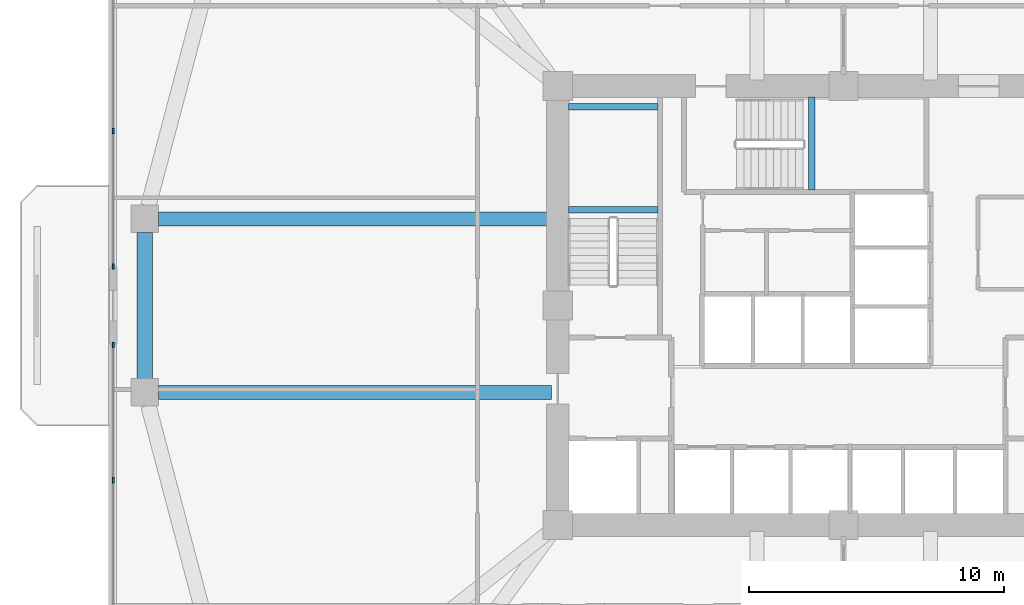
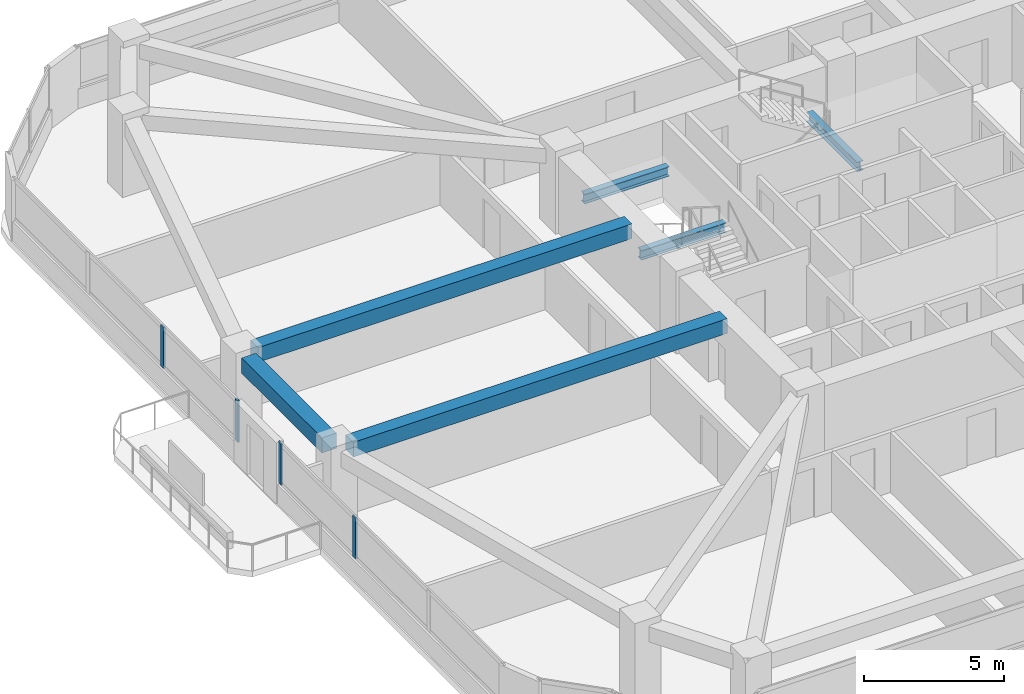
# One storey, part 4 of 15: 6 beams, 4 members, 2 elements without a shape of their own.
"""IFC4 building model written with IfcOpenShell, lengths in metres."""

from ifc_helpers import new_model, si_unit, derived_unit, direction, frame, origin, origin_2d, place, context, subcontext, project, spatial, rectangle, i_section, extrude, material, material_profile, profile_set, type_object, element, aggregate, save


model = new_model("IFC4")

# Units and contexts
model_context = context("Model", 3, precision=1e-05, world=origin(), true_north=direction((0.0, 1.0)))
body_context = subcontext(model_context, "Body", "Model", "MODEL_VIEW")
ifc_project = project(units=[si_unit("LENGTHUNIT", "METRE"), si_unit("AREAUNIT", "SQUARE_METRE"), si_unit("VOLUMEUNIT", "CUBIC_METRE"), si_unit("PLANEANGLEUNIT", "RADIAN"), si_unit("MASSUNIT", "GRAM", prefix="KILO"), derived_unit("THERMALTRANSMITTANCEUNIT", [(si_unit("POWERUNIT", "WATT"), 1), (si_unit("LENGTHUNIT", "METRE"), -2), (si_unit("THERMODYNAMICTEMPERATUREUNIT", "KELVIN"), -1)])], contexts=[model_context])

# Site, building, storey
site_placement = place(None, origin())
site = spatial("IfcSite", under=ifc_project, at=site_placement, CompositionType="ELEMENT")
building_placement = place(site_placement, origin())
building = spatial("IfcBuilding", under=site, at=building_placement, Name="Koralith Skygarden Medical Center", CompositionType="ELEMENT")
storey_placement = place(building_placement, frame((0.0, 0.0, 27.5400390625)))
storey = spatial("IfcBuildingStorey", under=building, at=storey_placement, Name="L06", CompositionType="ELEMENT", Elevation=27.5400390625)

# Curtain wall, members
ifc_material_1 = material(Name="Clear Laminated Glass", Category="glass")
curtain_wall_type = type_object("IfcCurtainWallType", Name="CW-2 Zone 1 Hurricane Unitised Curtain Wall", PredefinedType="NOTDEFINED", material=ifc_material_1)
curtain_wall_1_placement = place(storey_placement, origin())
curtain_wall_1 = element("IfcCurtainWall", 1, at=curtain_wall_1_placement, inside=storey, type_object=curtain_wall_type, Name="Curtain Wall CW-L06-W-L", PredefinedType="NOTDEFINED")
ifc_material_2 = material(Name="Aluminium 6063-T6", Category="aluminium")
ifc_material_profile_1 = material_profile(ifc_material_2, rectangle(XDim=0.071044921875, YDim=0.219970703125, at=origin_2d()), Name="MUL71X220")
ifc_profile_set_1 = profile_set([ifc_material_profile_1], Name="Aluminium 6063-T6")
member_type = type_object("IfcMemberType", Name="CW-2 Extruded Mullion 71x220", PredefinedType="MULLION", material=ifc_profile_set_1)
member_1_placement = place(storey_placement, frame((8.3798828125, 32.741943359375, 0.849853515625), z_axis=(0.0, 0.0, 1.0), x_axis=(1.0, 0.0, 0.0)))
member_1 = element("IfcMember", 2, at=member_1_placement, type_object=member_type, Name="CW-L06-W-L Mullion 3", PredefinedType="MULLION", context=body_context, shape_type="SweptSolid", body=[
    extrude(rectangle(XDim=0.071044921875, YDim=0.219970703125, at=origin_2d()), origin(), (0.0, 0.0, 1.0), 1.800048828125),
])
member_2_placement = place(storey_placement, frame((8.3798828125, 27.43994140625, 0.849853515625), z_axis=(0.0, 0.0, 1.0), x_axis=(1.0, 0.0, 0.0)))
member_2 = element("IfcMember", 3, at=member_2_placement, type_object=member_type, Name="CW-L06-W-L Mullion 4", PredefinedType="MULLION", context=body_context, shape_type="SweptSolid", body=[
    extrude(rectangle(XDim=0.071044921875, YDim=0.219970703125, at=origin_2d()), origin(), (0.0, 0.0, 1.0), 1.800048828125),
])
aggregate(curtain_wall_1, [member_1, member_2])

curtain_wall_2_placement = place(storey_placement, origin())
curtain_wall_2 = element("IfcCurtainWall", 4, at=curtain_wall_2_placement, inside=storey, type_object=curtain_wall_type, Name="Curtain Wall CW-L06-W-R", PredefinedType="NOTDEFINED")
member_3_placement = place(storey_placement, frame((8.3798828125, 24.360107421875, 0.849853515625), z_axis=(0.0, 0.0, 1.0), x_axis=(1.0, 0.0, 0.0)))
member_3 = element("IfcMember", 5, at=member_3_placement, type_object=member_type, Name="CW-L06-W-R Mullion 1", PredefinedType="MULLION", context=body_context, shape_type="SweptSolid", body=[
    extrude(rectangle(XDim=0.071044921875, YDim=0.219970703125, at=origin_2d()), origin(), (0.0, 0.0, 1.0), 1.800048828125),
])
member_4_placement = place(storey_placement, frame((8.3798828125, 19.05810546875, 0.849853515625), z_axis=(0.0, 0.0, 1.0), x_axis=(1.0, 0.0, 0.0)))
member_4 = element("IfcMember", 6, at=member_4_placement, type_object=member_type, Name="CW-L06-W-R Mullion 2", PredefinedType="MULLION", context=body_context, shape_type="SweptSolid", body=[
    extrude(rectangle(XDim=0.071044921875, YDim=0.219970703125, at=origin_2d()), origin(), (0.0, 0.0, 1.0), 1.800048828125),
])
aggregate(curtain_wall_2, [member_3, member_4])

# Beams
ifc_material_3 = material(Name="Steel ASTM A992 Grade 50", Category="steel")
ifc_material_profile_2 = material_profile(ifc_material_3, i_section(OverallWidth=0.260009765625, OverallDepth=0.4150390625, WebThickness=0.010009765625, FlangeThickness=0.016845703125, at=origin_2d()), Name="W16X67")
ifc_profile_set_2 = profile_set([ifc_material_profile_2], Name="Steel ASTM A992 Grade 50")
beam_type_1 = type_object("IfcBeamType", Name="Clinical Floor Joist W16X67", PredefinedType="JOIST", material=ifc_profile_set_2)
for number, where, z_axis, x_axis, name in (
    (7, (26.22998046875, 29.659912109375, 1.39306640625), (1.0, 0.0, 0.0), (0.0, 1.0, 0.0), "L06 Stair ST1 Half-Landing Support Beam 1A"),
    (8, (26.22998046875, 33.699951171875, 1.39306640625), (1.0, 0.0, 0.0), (0.0, 1.0, 0.0), "L06 Stair ST1 Half-Landing Support Beam 1B"),
):
    element("IfcBeam", number, at=place(storey_placement, frame(where, z_axis=z_axis, x_axis=x_axis)), inside=storey, type_object=beam_type_1, Name=name, PredefinedType="JOIST", context=body_context, shape_type="SweptSolid", body=[
        extrude(i_section(OverallWidth=0.260009765625, OverallDepth=0.4150390625, WebThickness=0.010009765625, FlangeThickness=0.016845703125, at=origin_2d()), origin(), (0.0, 0.0, 1.0), 3.489990234375),
    ])
beam_1_placement = place(storey_placement, frame((35.760009765625, 30.43994140625, 1.39306640625), z_axis=(0.0, 1.0, 0.0), x_axis=(-1.0, 0.0, 0.0)))
element("IfcBeam", 9, at=beam_1_placement, inside=storey, type_object=beam_type_1, Name="L06 Stair ST3 Half-Landing Support Beam 1A", PredefinedType="JOIST", context=body_context, shape_type="SweptSolid", body=[
    extrude(i_section(OverallWidth=0.260009765625, OverallDepth=0.4150390625, WebThickness=0.010009765625, FlangeThickness=0.016845703125, at=origin_2d()), origin(), (0.0, 0.0, 1.0), 3.630126953125),
])
ifc_material_4 = material(Name="Concrete C45/55", Category="concrete")
ifc_material_profile_3 = material_profile(ifc_material_4, rectangle(XDim=0.550048828125, YDim=0.639892578125, at=origin_2d()), Name="RCB550X640")
ifc_profile_set_3 = profile_set([ifc_material_profile_3], Name="Concrete C45/55")
beam_type_2 = type_object("IfcBeamType", Name="Radial Collector Beam RCB550X640", PredefinedType="BEAM", material=ifc_profile_set_3)
for number, where, z_axis, x_axis, name in (
    (10, (25.550048828125, 22.5, 3.0), (-1.0, 0.0, 0.0), (0.0, -1.0, 0.0), "L06 Radial Collector Beam RB-01"),
    (11, (25.550048828125, 29.300048828125, 3.0), (-1.0, 0.0, 0.0), (0.0, -1.0, 0.0), "L06 Radial Collector Beam RB-16"),
):
    element("IfcBeam", number, at=place(storey_placement, frame(where, z_axis=z_axis, x_axis=x_axis)), inside=storey, type_object=beam_type_2, Name=name, PredefinedType="BEAM", context=body_context, shape_type="SweptSolid", body=[
        extrude(rectangle(XDim=0.550048828125, YDim=0.639892578125, at=origin_2d()), origin(), (0.0, 0.0, 1.0), 15.400146484375),
    ])
ifc_material_profile_4 = material_profile(ifc_material_4, rectangle(XDim=0.60009765625, YDim=0.659912109375, at=origin_2d()), Name="RCB600X660")
ifc_profile_set_4 = profile_set([ifc_material_profile_4], Name="Concrete C45/55")
beam_type_3 = type_object("IfcBeamType", Name="Zone 1 Spandrel Beam RCB600X660", PredefinedType="SPANDREL", material=ifc_profile_set_4)
beam_2_placement = place(storey_placement, frame((9.6201171875, 28.77001953125, 2.989990234375), z_axis=(0.0, -1.0, 0.0), x_axis=(1.0, 0.0, 0.0)))
element("IfcBeam", 12, at=beam_2_placement, inside=storey, type_object=beam_type_3, Name="L06 Perimeter Spandrel Beam SP-16", PredefinedType="SPANDREL", context=body_context, shape_type="SweptSolid", body=[
    extrude(rectangle(XDim=0.60009765625, YDim=0.659912109375, at=origin_2d()), origin(), (0.0, 0.0, 1.0), 5.739990234375),
])

save(model, "model.ifc")
